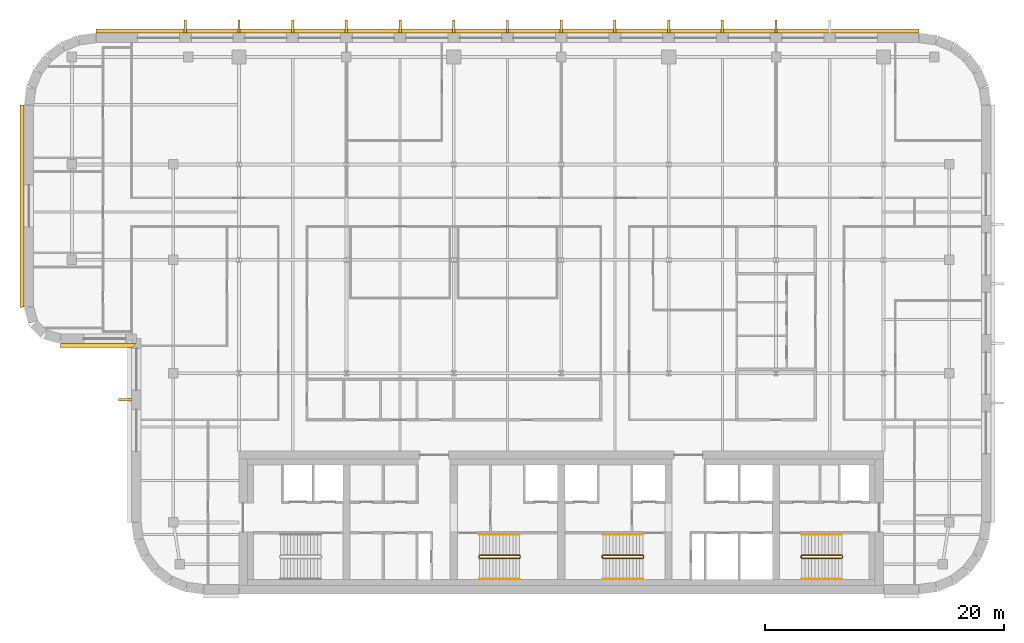
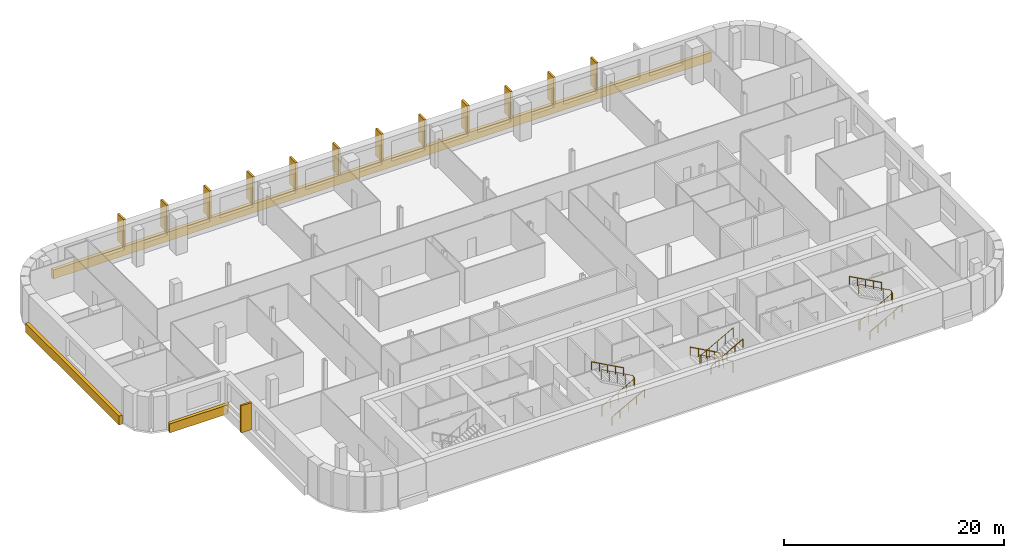
# One storey, part 15 of 17: 16 coverings, 9 railings.
"""IFC4 building model written with IfcOpenShell, lengths in metres."""

from ifc_helpers import new_model, si_unit, direction, frame, origin, origin_2d, place, context, subcontext, project, spatial, polyline, circle, outline, extrude, material, layer, layer_set, type_object, element, save


model = new_model("IFC4")

# Units and contexts
model_context = context("Model", 3, precision=1e-05, world=origin(), true_north=direction((0.0, 1.0)))
body_context = subcontext(model_context, "Body", "Model", "MODEL_VIEW")
ifc_project = project(units=[si_unit("LENGTHUNIT", "METRE"), si_unit("AREAUNIT", "SQUARE_METRE"), si_unit("VOLUMEUNIT", "CUBIC_METRE"), si_unit("PLANEANGLEUNIT", "RADIAN"), si_unit("MASSUNIT", "GRAM", prefix="KILO")], contexts=[model_context])

# Site, building, storey
site_placement = place(None, origin())
site = spatial("IfcSite", under=ifc_project, at=site_placement, CompositionType="ELEMENT")
building_placement = place(site_placement, origin())
building = spatial("IfcBuilding", under=site, at=building_placement, Name="Zellij Exchange Tower", CompositionType="ELEMENT")
storey_placement = place(building_placement, frame((0.0, 0.0, 224.5)))
storey = spatial("IfcBuildingStorey", under=building, at=storey_placement, Name="L52", CompositionType="ELEMENT", Elevation=224.5)

# Railings
ifc_material_1 = material(Name="Stainless steel", Category="steel")
railing_type_1 = type_object("IfcRailingType", Name="CORE-RG stair guard", PredefinedType="GUARDRAIL", material=ifc_material_1)
railing_1_placement = place(storey_placement, frame((-6.89990234375, -10.949951171875, 0.0)))
element("IfcRailing", 1, at=railing_1_placement, inside=storey, type_object=railing_type_1, Name="ST2 stair guard L52", PredefinedType="GUARDRAIL", context=body_context, shape_type="SweptSolid", body=[
    extrude(circle(Radius=0.02392578125, at=origin_2d()), frame((0.0, 0.0, 1.076171875), z_axis=(0.0, 1.0, 0.0), x_axis=(-1.0, 0.0, 0.0)), (0.0, 0.0, 1.0), 0.14990234375),
    extrude(circle(Radius=0.02392578125, at=origin_2d()), frame((0.0, 0.14990234375, 1.076171875), z_axis=(0.193691321961, -0.777613689637, 0.598164376644), x_axis=(0.970351222016, 0.241699205484, 0.0)), (0.0, 0.0, 1.0), 0.257080078125),
    extrude(circle(Radius=0.02392578125, at=origin_2d()), frame((0.0498046875, -0.050048828125, 1.22998046875), z_axis=(0.876421534553, 0.0, 0.481544695509), x_axis=(0.0, 1.0, 0.0)), (0.0, 0.0, 1.0), 3.833984375),
    extrude(circle(Radius=0.02392578125, at=origin_2d()), frame((3.409912109375, -0.050048828125, 3.076171875), z_axis=(0.707106781187, 0.707106781187, 0.0), x_axis=(-0.707106781187, 0.707106781187, 0.0)), (0.0, 0.0, 1.0), 0.07080078125),
    extrude(circle(Radius=0.02392578125, at=origin_2d()), frame((3.4599609375, 0.0, 3.076171875), z_axis=(0.0, 1.0, 0.0), x_axis=(-1.0, 0.0, 0.0)), (0.0, 0.0, 1.0), 0.14990234375),
    extrude(circle(Radius=0.02392578125, at=origin_2d()), frame((3.4599609375, 0.14990234375, 3.076171875), z_axis=(-0.295599637079, 0.295599637079, 0.908428152975), x_axis=(-0.707106781187, -0.707106781187, 0.0)), (0.0, 0.0, 1.0), 0.16943359375),
    extrude(circle(Radius=0.02392578125, at=origin_2d()), frame((3.409912109375, 0.199951171875, 3.22998046875), z_axis=(-0.876421534553, 0.0, 0.481544695509), x_axis=(0.0, -1.0, 0.0)), (0.0, 0.0, 1.0), 3.833984375),
    extrude(circle(Radius=0.02099609375, at=origin_2d()), origin(), (0.0, 0.0, 1.0), 1.052001953125),
    extrude(circle(Radius=0.02099609375, at=origin_2d()), frame((0.0, 0.14990234375, 0.0)), (0.0, 0.0, 1.0), 1.052001953125),
    extrude(circle(Radius=0.02099609375, at=origin_2d()), frame((0.0498046875, -0.050048828125, 0.15380859375)), (0.0, 0.0, 1.0), 1.052001953125),
    extrude(circle(Radius=0.02099609375, at=origin_2d()), frame((0.889892578125, -0.050048828125, 0.615234375)), (0.0, 0.0, 1.0), 1.052001953125),
    extrude(circle(Radius=0.02099609375, at=origin_2d()), frame((1.72998046875, -0.050048828125, 1.076904296875)), (0.0, 0.0, 1.0), 1.052001953125),
    extrude(circle(Radius=0.02099609375, at=origin_2d()), frame((2.56982421875, -0.050048828125, 1.53857421875)), (0.0, 0.0, 1.0), 1.052001953125),
    extrude(circle(Radius=0.02099609375, at=origin_2d()), frame((3.409912109375, -0.050048828125, 2.0)), (0.0, 0.0, 1.0), 1.052001953125),
    extrude(circle(Radius=0.02099609375, at=origin_2d()), frame((3.4599609375, 0.0, 2.0)), (0.0, 0.0, 1.0), 1.052001953125),
    extrude(circle(Radius=0.02099609375, at=origin_2d()), frame((3.4599609375, 0.14990234375, 2.0)), (0.0, 0.0, 1.0), 1.052001953125),
    extrude(circle(Radius=0.02099609375, at=origin_2d()), frame((3.409912109375, 0.199951171875, 2.15380859375)), (0.0, 0.0, 1.0), 1.052001953125),
    extrude(circle(Radius=0.02099609375, at=origin_2d()), frame((2.56982421875, 0.199951171875, 2.615234375)), (0.0, 0.0, 1.0), 1.052001953125),
    extrude(circle(Radius=0.02099609375, at=origin_2d()), frame((1.72998046875, 0.199951171875, 3.076904296875)), (0.0, 0.0, 1.0), 1.052001953125),
    extrude(circle(Radius=0.02099609375, at=origin_2d()), frame((0.889892578125, 0.199951171875, 3.53857421875)), (0.0, 0.0, 1.0), 1.052001953125),
    extrude(circle(Radius=0.02099609375, at=origin_2d()), frame((0.0498046875, 0.199951171875, 4.0)), (0.0, 0.0, 1.0), 1.052001953125),
])
railing_2_placement = place(storey_placement, frame((6.89990234375, -10.800048828125, 0.0)))
element("IfcRailing", 2, at=railing_2_placement, inside=storey, type_object=railing_type_1, Name="ST3 stair guard L52", PredefinedType="GUARDRAIL", context=body_context, shape_type="SweptSolid", body=[
    extrude(circle(Radius=0.02392578125, at=origin_2d()), frame((0.0, 0.0, 1.076171875), z_axis=(0.0, -1.0, 0.0), x_axis=(1.0, 0.0, 0.0)), (0.0, 0.0, 1.0), 0.14990234375),
    extrude(circle(Radius=0.02392578125, at=origin_2d()), frame((0.0, -0.14990234375, 1.076171875), z_axis=(-0.193691321961, 0.777613689637, 0.598164376644), x_axis=(-0.970351222016, -0.241699205484, 0.0)), (0.0, 0.0, 1.0), 0.257080078125),
    extrude(circle(Radius=0.02392578125, at=origin_2d()), frame((-0.0498046875, 0.050048828125, 1.22998046875), z_axis=(-0.876421534553, 0.0, 0.481544695509), x_axis=(0.0, -1.0, 0.0)), (0.0, 0.0, 1.0), 3.833984375),
    extrude(circle(Radius=0.02392578125, at=origin_2d()), frame((-3.409912109375, 0.050048828125, 3.076171875), z_axis=(-0.707106781187, -0.707106781187, 0.0), x_axis=(0.707106781187, -0.707106781187, 0.0)), (0.0, 0.0, 1.0), 0.07080078125),
    extrude(circle(Radius=0.02392578125, at=origin_2d()), frame((-3.4599609375, 0.0, 3.076171875), z_axis=(0.0, -1.0, 0.0), x_axis=(1.0, 0.0, 0.0)), (0.0, 0.0, 1.0), 0.14990234375),
    extrude(circle(Radius=0.02392578125, at=origin_2d()), frame((-3.4599609375, -0.14990234375, 3.076171875), z_axis=(0.295599637079, -0.295599637079, 0.908428152975), x_axis=(0.707106781187, 0.707106781187, 0.0)), (0.0, 0.0, 1.0), 0.16943359375),
    extrude(circle(Radius=0.02392578125, at=origin_2d()), frame((-3.409912109375, -0.199951171875, 3.22998046875), z_axis=(0.876421534553, 0.0, 0.481544695509), x_axis=(0.0, 1.0, 0.0)), (0.0, 0.0, 1.0), 3.833984375),
    extrude(circle(Radius=0.02099609375, at=origin_2d()), origin(), (0.0, 0.0, 1.0), 1.052001953125),
    extrude(circle(Radius=0.02099609375, at=origin_2d()), frame((0.0, -0.14990234375, 0.0)), (0.0, 0.0, 1.0), 1.052001953125),
    extrude(circle(Radius=0.02099609375, at=origin_2d()), frame((-0.0498046875, 0.050048828125, 0.15380859375)), (0.0, 0.0, 1.0), 1.052001953125),
    extrude(circle(Radius=0.02099609375, at=origin_2d()), frame((-0.889892578125, 0.050048828125, 0.615234375)), (0.0, 0.0, 1.0), 1.052001953125),
    extrude(circle(Radius=0.02099609375, at=origin_2d()), frame((-1.72998046875, 0.050048828125, 1.076904296875)), (0.0, 0.0, 1.0), 1.052001953125),
    extrude(circle(Radius=0.02099609375, at=origin_2d()), frame((-2.56982421875, 0.050048828125, 1.53857421875)), (0.0, 0.0, 1.0), 1.052001953125),
    extrude(circle(Radius=0.02099609375, at=origin_2d()), frame((-3.409912109375, 0.050048828125, 2.0)), (0.0, 0.0, 1.0), 1.052001953125),
    extrude(circle(Radius=0.02099609375, at=origin_2d()), frame((-3.4599609375, 0.0, 2.0)), (0.0, 0.0, 1.0), 1.052001953125),
    extrude(circle(Radius=0.02099609375, at=origin_2d()), frame((-3.4599609375, -0.14990234375, 2.0)), (0.0, 0.0, 1.0), 1.052001953125),
    extrude(circle(Radius=0.02099609375, at=origin_2d()), frame((-3.409912109375, -0.199951171875, 2.15380859375)), (0.0, 0.0, 1.0), 1.052001953125),
    extrude(circle(Radius=0.02099609375, at=origin_2d()), frame((-2.56982421875, -0.199951171875, 2.615234375)), (0.0, 0.0, 1.0), 1.052001953125),
    extrude(circle(Radius=0.02099609375, at=origin_2d()), frame((-1.72998046875, -0.199951171875, 3.076904296875)), (0.0, 0.0, 1.0), 1.052001953125),
    extrude(circle(Radius=0.02099609375, at=origin_2d()), frame((-0.889892578125, -0.199951171875, 3.53857421875)), (0.0, 0.0, 1.0), 1.052001953125),
    extrude(circle(Radius=0.02099609375, at=origin_2d()), frame((-0.0498046875, -0.199951171875, 4.0)), (0.0, 0.0, 1.0), 1.052001953125),
])
railing_3_placement = place(storey_placement, frame((20.10009765625, -10.949951171875, 0.0)))
element("IfcRailing", 3, at=railing_3_placement, inside=storey, type_object=railing_type_1, Name="ST4 stair guard L52", PredefinedType="GUARDRAIL", context=body_context, shape_type="SweptSolid", body=[
    extrude(circle(Radius=0.02392578125, at=origin_2d()), frame((0.0, 0.0, 1.076171875), z_axis=(0.0, 1.0, 0.0), x_axis=(-1.0, 0.0, 0.0)), (0.0, 0.0, 1.0), 0.14990234375),
    extrude(circle(Radius=0.02392578125, at=origin_2d()), frame((0.0, 0.14990234375, 1.076171875), z_axis=(0.193691321961, -0.777613689637, 0.598164376644), x_axis=(0.970351222016, 0.241699205484, 0.0)), (0.0, 0.0, 1.0), 0.257080078125),
    extrude(circle(Radius=0.02392578125, at=origin_2d()), frame((0.0498046875, -0.050048828125, 1.22998046875), z_axis=(0.876421534553, 0.0, 0.481544695509), x_axis=(0.0, 1.0, 0.0)), (0.0, 0.0, 1.0), 3.833984375),
    extrude(circle(Radius=0.02392578125, at=origin_2d()), frame((3.409912109375, -0.050048828125, 3.076171875), z_axis=(0.707106781187, 0.707106781187, 0.0), x_axis=(-0.707106781187, 0.707106781187, 0.0)), (0.0, 0.0, 1.0), 0.07080078125),
    extrude(circle(Radius=0.02392578125, at=origin_2d()), frame((3.4599609375, 0.0, 3.076171875), z_axis=(0.0, 1.0, 0.0), x_axis=(-1.0, 0.0, 0.0)), (0.0, 0.0, 1.0), 0.14990234375),
    extrude(circle(Radius=0.02392578125, at=origin_2d()), frame((3.4599609375, 0.14990234375, 3.076171875), z_axis=(-0.295599637079, 0.295599637079, 0.908428152975), x_axis=(-0.707106781187, -0.707106781187, 0.0)), (0.0, 0.0, 1.0), 0.16943359375),
    extrude(circle(Radius=0.02392578125, at=origin_2d()), frame((3.409912109375, 0.199951171875, 3.22998046875), z_axis=(-0.876421534553, 0.0, 0.481544695509), x_axis=(0.0, -1.0, 0.0)), (0.0, 0.0, 1.0), 3.833984375),
    extrude(circle(Radius=0.02099609375, at=origin_2d()), origin(), (0.0, 0.0, 1.0), 1.052001953125),
    extrude(circle(Radius=0.02099609375, at=origin_2d()), frame((0.0, 0.14990234375, 0.0)), (0.0, 0.0, 1.0), 1.052001953125),
    extrude(circle(Radius=0.02099609375, at=origin_2d()), frame((0.0498046875, -0.050048828125, 0.15380859375)), (0.0, 0.0, 1.0), 1.052001953125),
    extrude(circle(Radius=0.02099609375, at=origin_2d()), frame((0.889892578125, -0.050048828125, 0.615234375)), (0.0, 0.0, 1.0), 1.052001953125),
    extrude(circle(Radius=0.02099609375, at=origin_2d()), frame((1.72998046875, -0.050048828125, 1.076904296875)), (0.0, 0.0, 1.0), 1.052001953125),
    extrude(circle(Radius=0.02099609375, at=origin_2d()), frame((2.56982421875, -0.050048828125, 1.53857421875)), (0.0, 0.0, 1.0), 1.052001953125),
    extrude(circle(Radius=0.02099609375, at=origin_2d()), frame((3.409912109375, -0.050048828125, 2.0)), (0.0, 0.0, 1.0), 1.052001953125),
    extrude(circle(Radius=0.02099609375, at=origin_2d()), frame((3.4599609375, 0.0, 2.0)), (0.0, 0.0, 1.0), 1.052001953125),
    extrude(circle(Radius=0.02099609375, at=origin_2d()), frame((3.4599609375, 0.14990234375, 2.0)), (0.0, 0.0, 1.0), 1.052001953125),
    extrude(circle(Radius=0.02099609375, at=origin_2d()), frame((3.409912109375, 0.199951171875, 2.15380859375)), (0.0, 0.0, 1.0), 1.052001953125),
    extrude(circle(Radius=0.02099609375, at=origin_2d()), frame((2.56982421875, 0.199951171875, 2.615234375)), (0.0, 0.0, 1.0), 1.052001953125),
    extrude(circle(Radius=0.02099609375, at=origin_2d()), frame((1.72998046875, 0.199951171875, 3.076904296875)), (0.0, 0.0, 1.0), 1.052001953125),
    extrude(circle(Radius=0.02099609375, at=origin_2d()), frame((0.889892578125, 0.199951171875, 3.53857421875)), (0.0, 0.0, 1.0), 1.052001953125),
    extrude(circle(Radius=0.02099609375, at=origin_2d()), frame((0.0498046875, 0.199951171875, 4.0)), (0.0, 0.0, 1.0), 1.052001953125),
])
railing_type_2 = type_object("IfcRailingType", Name="CORE-RH stair handrail", PredefinedType="HANDRAIL", material=ifc_material_1)
railing_4_placement = place(storey_placement, frame((-6.85009765625, -12.75, 0.15380859375)))
element("IfcRailing", 4, at=railing_4_placement, inside=storey, type_object=railing_type_2, Name="ST2 stair handrail L52", PredefinedType="HANDRAIL", context=body_context, shape_type="SweptSolid", body=[
    extrude(circle(Radius=0.02392578125, at=origin_2d()), frame((0.0, 0.0, 0.8759765625), z_axis=(0.876421534553, 0.0, 0.481544695509), x_axis=(0.0, 1.0, 0.0)), (0.0, 0.0, 1.0), 3.833984375),
    extrude(circle(Radius=0.02099609375, at=origin_2d()), origin(), (0.0, 0.0, 1.0), 0.851806640625),
    extrude(circle(Radius=0.02099609375, at=origin_2d()), frame((0.840087890625, 0.0, 0.46142578125)), (0.0, 0.0, 1.0), 0.851806640625),
    extrude(circle(Radius=0.02099609375, at=origin_2d()), frame((1.68017578125, 0.0, 0.923095703125)), (0.0, 0.0, 1.0), 0.851806640625),
    extrude(circle(Radius=0.02099609375, at=origin_2d()), frame((2.52001953125, 0.0, 1.384765625)), (0.0, 0.0, 1.0), 0.851806640625),
    extrude(circle(Radius=0.02099609375, at=origin_2d()), frame((3.360107421875, 0.0, 1.84619140625)), (0.0, 0.0, 1.0), 0.851806640625),
])
for number, where, name in (
    (5, (-3.489990234375, -9.0, 2.15380859375), "ST2 stair handrail L52"),
    (6, (6.85009765625, -9.0, 0.15380859375), "ST3 stair handrail L52"),
):
    element("IfcRailing", number, at=place(storey_placement, frame(where)), inside=storey, type_object=railing_type_2, Name=name, PredefinedType="HANDRAIL", context=body_context, shape_type="SweptSolid", body=[
        extrude(circle(Radius=0.02392578125, at=origin_2d()), frame((0.0, 0.0, 0.8759765625), z_axis=(-0.876421534553, 0.0, 0.481544695509), x_axis=(0.0, -1.0, 0.0)), (0.0, 0.0, 1.0), 3.833984375),
        extrude(circle(Radius=0.02099609375, at=origin_2d()), origin(), (0.0, 0.0, 1.0), 0.851806640625),
        extrude(circle(Radius=0.02099609375, at=origin_2d()), frame((-0.840087890625, 0.0, 0.46142578125)), (0.0, 0.0, 1.0), 0.851806640625),
        extrude(circle(Radius=0.02099609375, at=origin_2d()), frame((-1.68017578125, 0.0, 0.923095703125)), (0.0, 0.0, 1.0), 0.851806640625),
        extrude(circle(Radius=0.02099609375, at=origin_2d()), frame((-2.52001953125, 0.0, 1.384765625)), (0.0, 0.0, 1.0), 0.851806640625),
        extrude(circle(Radius=0.02099609375, at=origin_2d()), frame((-3.360107421875, 0.0, 1.84619140625)), (0.0, 0.0, 1.0), 0.851806640625),
    ])
for number, where, name in (
    (7, (3.489990234375, -12.75, 2.15380859375), "ST3 stair handrail L52"),
    (8, (20.14990234375, -12.75, 0.15380859375), "ST4 stair handrail L52"),
):
    element("IfcRailing", number, at=place(storey_placement, frame(where)), inside=storey, type_object=railing_type_2, Name=name, PredefinedType="HANDRAIL", context=body_context, shape_type="SweptSolid", body=[
        extrude(circle(Radius=0.02392578125, at=origin_2d()), frame((0.0, 0.0, 0.8759765625), z_axis=(0.876421534553, 0.0, 0.481544695509), x_axis=(0.0, 1.0, 0.0)), (0.0, 0.0, 1.0), 3.833984375),
        extrude(circle(Radius=0.02099609375, at=origin_2d()), origin(), (0.0, 0.0, 1.0), 0.851806640625),
        extrude(circle(Radius=0.02099609375, at=origin_2d()), frame((0.840087890625, 0.0, 0.46142578125)), (0.0, 0.0, 1.0), 0.851806640625),
        extrude(circle(Radius=0.02099609375, at=origin_2d()), frame((1.68017578125, 0.0, 0.923095703125)), (0.0, 0.0, 1.0), 0.851806640625),
        extrude(circle(Radius=0.02099609375, at=origin_2d()), frame((2.52001953125, 0.0, 1.384765625)), (0.0, 0.0, 1.0), 0.851806640625),
        extrude(circle(Radius=0.02099609375, at=origin_2d()), frame((3.360107421875, 0.0, 1.84619140625)), (0.0, 0.0, 1.0), 0.851806640625),
    ])
railing_5_placement = place(storey_placement, frame((23.510009765625, -9.0, 2.15380859375)))
element("IfcRailing", 9, at=railing_5_placement, inside=storey, type_object=railing_type_2, Name="ST4 stair handrail L52", PredefinedType="HANDRAIL", context=body_context, shape_type="SweptSolid", body=[
    extrude(circle(Radius=0.02392578125, at=origin_2d()), frame((0.0, 0.0, 0.8759765625), z_axis=(-0.876421534553, 0.0, 0.481544695509), x_axis=(0.0, -1.0, 0.0)), (0.0, 0.0, 1.0), 3.833984375),
    extrude(circle(Radius=0.02099609375, at=origin_2d()), origin(), (0.0, 0.0, 1.0), 0.851806640625),
    extrude(circle(Radius=0.02099609375, at=origin_2d()), frame((-0.840087890625, 0.0, 0.46142578125)), (0.0, 0.0, 1.0), 0.851806640625),
    extrude(circle(Radius=0.02099609375, at=origin_2d()), frame((-1.68017578125, 0.0, 0.923095703125)), (0.0, 0.0, 1.0), 0.851806640625),
    extrude(circle(Radius=0.02099609375, at=origin_2d()), frame((-2.52001953125, 0.0, 1.384765625)), (0.0, 0.0, 1.0), 0.851806640625),
    extrude(circle(Radius=0.02099609375, at=origin_2d()), frame((-3.360107421875, 0.0, 1.84619140625)), (0.0, 0.0, 1.0), 0.851806640625),
])

# Coverings
ifc_material_2 = material(Name="Limestone cladding", Category="masonry")
ifc_layer = layer(ifc_material_2, 0.35009765625)
ifc_layer_set = layer_set([ifc_layer], Name="Limestone cladding")
covering_type_1 = type_object("IfcCoveringType", Name="ENV-CV10 Stone spandrel band 350", PredefinedType="CLADDING", material=ifc_layer_set)
covering_1_placement = place(storey_placement, frame((0.0, 0.0, -0.199951171875)))
element("IfcCovering", 10, at=covering_1_placement, inside=storey, type_object=covering_type_1, Name="Stone spandrel band", PredefinedType="CLADDING", context=body_context, shape_type="SweptSolid", body=[
    extrude(outline(polyline([(29.973876953125, 33.0), (-38.973876953125, 33.0), (-38.99658203125, 33.35009765625), (29.99658203125, 33.35009765625), (29.973876953125, 33.0)])), origin(), (0.0, 0.0, 1.0), 1.0),
])
covering_2_placement = place(storey_placement, frame((0.0, 0.0, -0.199951171875)))
element("IfcCovering", 11, at=covering_2_placement, inside=storey, type_object=covering_type_1, Name="Stone spandrel band", PredefinedType="CLADDING", context=body_context, shape_type="SweptSolid", body=[
    extrude(outline(polyline([(-45.0, 26.973876953125), (-45.0, 10.052734375), (-45.35009765625, 10.006591796875), (-45.35009765625, 26.99658203125), (-45.0, 26.973876953125)])), origin(), (0.0, 0.0, 1.0), 1.0),
])
covering_3_placement = place(storey_placement, frame((0.0, 0.0, -0.199951171875)))
element("IfcCovering", 12, at=covering_3_placement, inside=storey, type_object=covering_type_1, Name="Stone spandrel band", PredefinedType="CLADDING", context=body_context, shape_type="SweptSolid", body=[
    extrude(outline(polyline([(-41.947265625, 7.0), (-35.60009765625, 7.0), (-35.949951171875, 6.64990234375), (-41.993408203125, 6.64990234375), (-41.947265625, 7.0)])), origin(), (0.0, 0.0, 1.0), 1.0),
])
covering_type_2 = type_object("IfcCoveringType", Name="ENV-CV6 Stone pier 200x1100", PredefinedType="CLADDING", material=ifc_material_2)
covering_4_placement = place(storey_placement, frame((0.0, 0.0, 0.800048828125)))
element("IfcCovering", 13, at=covering_4_placement, inside=storey, type_object=covering_type_2, Name="Stone pier", PredefinedType="CLADDING", context=body_context, shape_type="SweptSolid", body=[
    extrude(outline(polyline([(18.10009765625, 33.0), (17.89990234375, 33.0), (17.89990234375, 34.10009765625), (18.10009765625, 34.10009765625), (18.10009765625, 33.0)])), origin(), (0.0, 0.0, 1.0), 3.0),
])
covering_5_placement = place(storey_placement, frame((0.0, 0.0, 0.800048828125)))
element("IfcCovering", 14, at=covering_5_placement, inside=storey, type_object=covering_type_2, Name="Stone pier", PredefinedType="CLADDING", context=body_context, shape_type="SweptSolid", body=[
    extrude(outline(polyline([(13.60009765625, 33.0), (13.39990234375, 33.0), (13.39990234375, 34.10009765625), (13.60009765625, 34.10009765625), (13.60009765625, 33.0)])), origin(), (0.0, 0.0, 1.0), 3.0),
])
covering_6_placement = place(storey_placement, frame((0.0, 0.0, 0.800048828125)))
element("IfcCovering", 15, at=covering_6_placement, inside=storey, type_object=covering_type_2, Name="Stone pier", PredefinedType="CLADDING", context=body_context, shape_type="SweptSolid", body=[
    extrude(outline(polyline([(9.10009765625, 33.0), (8.89990234375, 33.0), (8.89990234375, 34.10009765625), (9.10009765625, 34.10009765625), (9.10009765625, 33.0)])), origin(), (0.0, 0.0, 1.0), 3.0),
])
covering_7_placement = place(storey_placement, frame((0.0, 0.0, 0.800048828125)))
element("IfcCovering", 16, at=covering_7_placement, inside=storey, type_object=covering_type_2, Name="Stone pier", PredefinedType="CLADDING", context=body_context, shape_type="SweptSolid", body=[
    extrude(outline(polyline([(4.60009765625, 33.0), (4.39990234375, 33.0), (4.39990234375, 34.10009765625), (4.60009765625, 34.10009765625), (4.60009765625, 33.0)])), origin(), (0.0, 0.0, 1.0), 3.0),
])
covering_8_placement = place(storey_placement, frame((0.0, 0.0, 0.800048828125)))
element("IfcCovering", 17, at=covering_8_placement, inside=storey, type_object=covering_type_2, Name="Stone pier", PredefinedType="CLADDING", context=body_context, shape_type="SweptSolid", body=[
    extrude(outline(polyline([(0.10009765625, 33.0), (-0.10009765625, 33.0), (-0.10009765625, 34.10009765625), (0.10009765625, 34.10009765625), (0.10009765625, 33.0)])), origin(), (0.0, 0.0, 1.0), 3.0),
])
covering_9_placement = place(storey_placement, frame((0.0, 0.0, 0.800048828125)))
element("IfcCovering", 18, at=covering_9_placement, inside=storey, type_object=covering_type_2, Name="Stone pier", PredefinedType="CLADDING", context=body_context, shape_type="SweptSolid", body=[
    extrude(outline(polyline([(-4.39990234375, 33.0), (-4.60009765625, 33.0), (-4.60009765625, 34.10009765625), (-4.39990234375, 34.10009765625), (-4.39990234375, 33.0)])), origin(), (0.0, 0.0, 1.0), 3.0),
])
covering_10_placement = place(storey_placement, frame((0.0, 0.0, 0.800048828125)))
element("IfcCovering", 19, at=covering_10_placement, inside=storey, type_object=covering_type_2, Name="Stone pier", PredefinedType="CLADDING", context=body_context, shape_type="SweptSolid", body=[
    extrude(outline(polyline([(-8.89990234375, 33.0), (-9.10009765625, 33.0), (-9.10009765625, 34.10009765625), (-8.89990234375, 34.10009765625), (-8.89990234375, 33.0)])), origin(), (0.0, 0.0, 1.0), 3.0),
])
covering_11_placement = place(storey_placement, frame((0.0, 0.0, 0.800048828125)))
element("IfcCovering", 20, at=covering_11_placement, inside=storey, type_object=covering_type_2, Name="Stone pier", PredefinedType="CLADDING", context=body_context, shape_type="SweptSolid", body=[
    extrude(outline(polyline([(-13.39990234375, 33.0), (-13.60009765625, 33.0), (-13.60009765625, 34.10009765625), (-13.39990234375, 34.10009765625), (-13.39990234375, 33.0)])), origin(), (0.0, 0.0, 1.0), 3.0),
])
covering_12_placement = place(storey_placement, frame((0.0, 0.0, 0.800048828125)))
element("IfcCovering", 21, at=covering_12_placement, inside=storey, type_object=covering_type_2, Name="Stone pier", PredefinedType="CLADDING", context=body_context, shape_type="SweptSolid", body=[
    extrude(outline(polyline([(-17.89990234375, 33.0), (-18.10009765625, 33.0), (-18.10009765625, 34.10009765625), (-17.89990234375, 34.10009765625), (-17.89990234375, 33.0)])), origin(), (0.0, 0.0, 1.0), 3.0),
])
covering_13_placement = place(storey_placement, frame((0.0, 0.0, 0.800048828125)))
element("IfcCovering", 22, at=covering_13_placement, inside=storey, type_object=covering_type_2, Name="Stone pier", PredefinedType="CLADDING", context=body_context, shape_type="SweptSolid", body=[
    extrude(outline(polyline([(-22.39990234375, 33.0), (-22.60009765625, 33.0), (-22.60009765625, 34.10009765625), (-22.39990234375, 34.10009765625), (-22.39990234375, 33.0)])), origin(), (0.0, 0.0, 1.0), 3.0),
])
covering_14_placement = place(storey_placement, frame((0.0, 0.0, 0.800048828125)))
element("IfcCovering", 23, at=covering_14_placement, inside=storey, type_object=covering_type_2, Name="Stone pier", PredefinedType="CLADDING", context=body_context, shape_type="SweptSolid", body=[
    extrude(outline(polyline([(-26.89990234375, 33.0), (-27.10009765625, 33.0), (-27.10009765625, 34.10009765625), (-26.89990234375, 34.10009765625), (-26.89990234375, 33.0)])), origin(), (0.0, 0.0, 1.0), 3.0),
])
covering_15_placement = place(storey_placement, frame((0.0, 0.0, 0.800048828125)))
element("IfcCovering", 24, at=covering_15_placement, inside=storey, type_object=covering_type_2, Name="Stone pier", PredefinedType="CLADDING", context=body_context, shape_type="SweptSolid", body=[
    extrude(outline(polyline([(-31.39990234375, 33.0), (-31.60009765625, 33.0), (-31.60009765625, 34.10009765625), (-31.39990234375, 34.10009765625), (-31.39990234375, 33.0)])), origin(), (0.0, 0.0, 1.0), 3.0),
])
covering_16_placement = place(storey_placement, frame((0.0, 0.0, 0.800048828125)))
element("IfcCovering", 25, at=covering_16_placement, inside=storey, type_object=covering_type_2, Name="Stone pier", PredefinedType="CLADDING", context=body_context, shape_type="SweptSolid", body=[
    extrude(outline(polyline([(-36.0, 2.37548828125), (-36.0, 2.17529296875), (-37.10009765625, 2.17529296875), (-37.10009765625, 2.37548828125), (-36.0, 2.37548828125)])), origin(), (0.0, 0.0, 1.0), 3.0),
])

save(model, "model.ifc")
